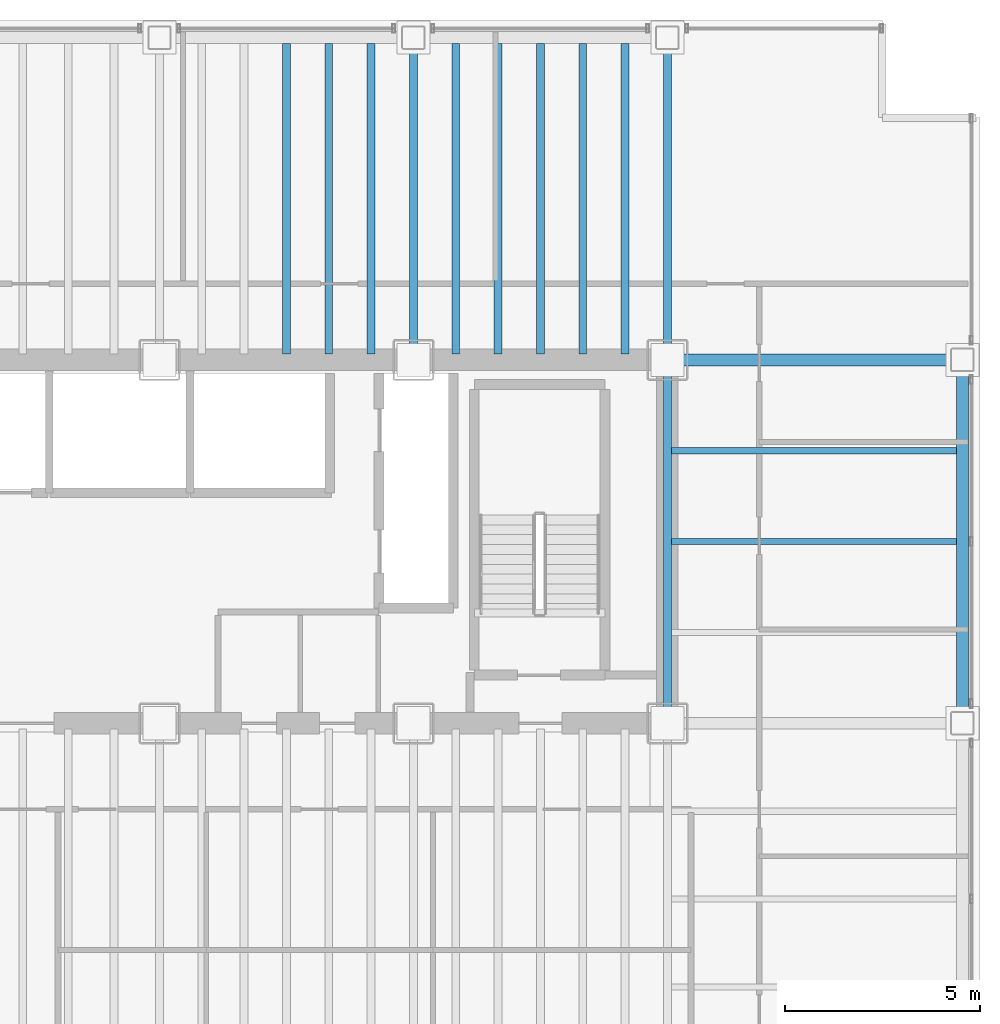
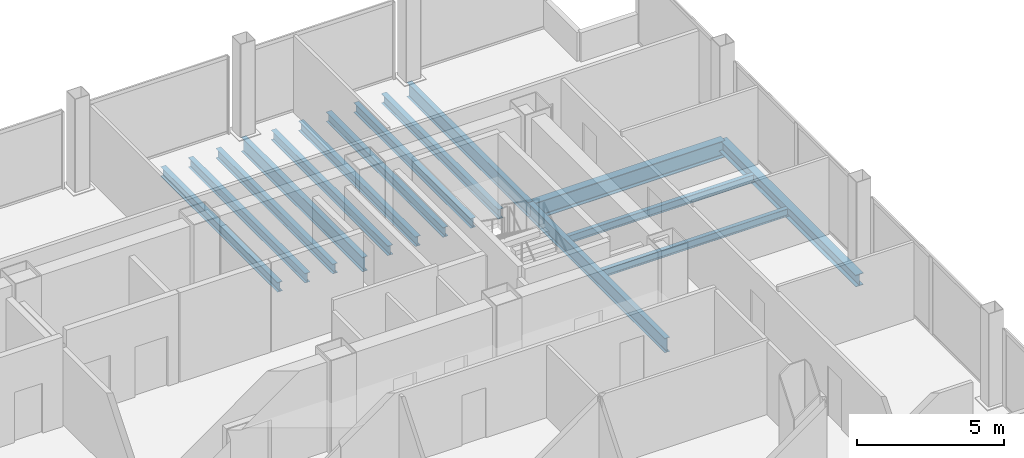
# One storey, part 12 of 21: 15 beams.
"""IFC4 building model written with IfcOpenShell, lengths in metres."""

import ifcopenshell
import ifcopenshell.guid

model = None  # the IFC model being written
_history = None  # IfcOwnerHistory: only IFC2X3 demands one
_inside = {}  # id of a spatial element -> (the spatial element, [elements in it])
_under = {}  # id of a project, library or spatial element -> (it, [spatial elements below it])
_declared = {}  # id of a project -> (the project, [libraries it declares])
_typed = {}  # id of a type object -> (the type object, [elements of that type])
_made_of = {}  # id of a material, layer set ... -> (it, [elements and type objects made of it])


def new_model(schema):
    """Start an empty IFC model of exactly this schema.

    Asked for "IFC4X3", IfcOpenShell would pick the latest addendum, in which some entities
    have other attributes; the version numbers below select the first issue.
    IFC2X3 requires an IfcOwnerHistory on every rooted entity: one is made here for all.
    """
    global model, _history
    if schema == "IFC4X3":
        model = ifcopenshell.file(schema_version=(4, 3, 0, 0))
    else:
        model = ifcopenshell.file(schema=schema)
    _inside.clear()
    _under.clear()
    _declared.clear()
    _typed.clear()
    _made_of.clear()
    _history = None
    if model.schema == "IFC2X3":
        org = make("IfcOrganization", Name="unknown")
        user = make(
            "IfcPersonAndOrganization",
            ThePerson=make("IfcPerson", FamilyName="unknown"),
            TheOrganization=org,
        )
        app = make(
            "IfcApplication",
            ApplicationDeveloper=org,
            Version="unknown",
            ApplicationFullName="unknown",
            ApplicationIdentifier="unknown",
        )
        _history = make(
            "IfcOwnerHistory",
            OwningUser=user,
            OwningApplication=app,
            ChangeAction="ADDED",
            CreationDate=0,
        )
    return model


def make(cls, **values):
    """One entity of the class cls with the attributes given. An attribute that is None is left unset."""
    return model.create_entity(
        cls, **{name: value for name, value in values.items() if value is not None}
    )


def rooted(cls, **values):
    """An entity with a GlobalId (a new one), such as an element, a storey or a relation."""
    return make(cls, GlobalId=ifcopenshell.guid.new(), OwnerHistory=_history, **values)


def si_unit(unit_type, name, prefix=None):
    """IfcSIUnit, for example si_unit("LENGTHUNIT", "METRE", prefix="MILLI")."""
    return make("IfcSIUnit", UnitType=unit_type, Prefix=prefix, Name=name)


def assignment(units):
    """IfcUnitAssignment: the units of a project."""
    return None if units is None else make("IfcUnitAssignment", Units=units)


def point(xyz):
    """IfcCartesianPoint."""
    return None if xyz is None else make("IfcCartesianPoint", Coordinates=xyz)


def direction(xyz):
    """IfcDirection."""
    return None if xyz is None else make("IfcDirection", DirectionRatios=xyz)


def frame(location, z_axis=None, x_axis=None):
    """IfcAxis2Placement3D, a coordinate frame: its origin and axes. An axis left out is left unset."""
    return make(
        "IfcAxis2Placement3D",
        Location=point(location),
        Axis=direction(z_axis),
        RefDirection=direction(x_axis),
    )


def frame_2d(location, x_axis=None):
    """IfcAxis2Placement2D, a coordinate frame in the plane: its origin and x axis."""
    return make(
        "IfcAxis2Placement2D", Location=point(location), RefDirection=direction(x_axis)
    )


def origin():
    """The frame at (0, 0, 0) with its axes left unset."""
    return frame((0.0, 0.0, 0.0))


def origin_2d():
    """The frame at (0, 0) in the plane with its x axis left unset."""
    return frame_2d((0.0, 0.0))


def place(relative_to, where):
    """IfcLocalPlacement: puts the frame where relative to a parent placement (None: the world)."""
    return make(
        "IfcLocalPlacement", PlacementRelTo=relative_to, RelativePlacement=where
    )


def context(
    kind, dimensions, precision=None, world=None, true_north=None, identifier=None
):
    """IfcGeometricRepresentationContext, for example the 3D "Model" context."""
    return make(
        "IfcGeometricRepresentationContext",
        ContextIdentifier=identifier,
        ContextType=kind,
        CoordinateSpaceDimension=dimensions,
        Precision=precision,
        WorldCoordinateSystem=world,
        TrueNorth=true_north,
    )


def subcontext(parent, identifier, kind, view, scale=None):
    """IfcGeometricRepresentationSubContext, for example "Body" below "Model"."""
    return make(
        "IfcGeometricRepresentationSubContext",
        ContextIdentifier=identifier,
        ContextType=kind,
        ParentContext=parent,
        TargetScale=scale,
        TargetView=view,
    )


def project(units=None, contexts=None):
    """IfcProject with its units and contexts."""
    return rooted(
        "IfcProject",
        Name="project",
        RepresentationContexts=contexts,
        UnitsInContext=assignment(units),
    )


def spatial(cls, under=None, at=None, **own):
    """A site, building, storey or space (cls), placed at a placement, below another one or the project."""
    s = rooted(cls, ObjectPlacement=at, **own)
    if under is not None:
        _under.setdefault(under.id(), (under, []))[1].append(s)
    return s


def profile(cls, at=None, kind="AREA", **sizes):
    """A parametric profile (cls). Its sizes go by their IFC names, for example OverallWidth=200.0."""
    return make(cls, ProfileType=kind, Position=at, **sizes)


def i_section(**sizes):
    """IfcIShapeProfileDef."""
    return profile("IfcIShapeProfileDef", **sizes)


def extrude(swept, where, along, depth):
    """IfcExtrudedAreaSolid: the profile swept, set in the frame where, extruded along a direction by depth."""
    return make(
        "IfcExtrudedAreaSolid",
        SweptArea=swept,
        Position=where,
        ExtrudedDirection=direction(along),
        Depth=depth,
    )


def shape(context_of_items, identifier, shape_type, items):
    """IfcShapeRepresentation: the items that make up one representation, for example the "Body"."""
    return make(
        "IfcShapeRepresentation",
        ContextOfItems=context_of_items,
        RepresentationIdentifier=identifier,
        RepresentationType=shape_type,
        Items=items,
    )


def material(Name=None, Category=None):
    """IfcMaterial."""
    return make("IfcMaterial", Name=Name, Category=Category)


def material_profile(
    of_material, cross_section, Name=None, Category=None, Priority=None
):
    """IfcMaterialProfile: a cross section and its material."""
    return make(
        "IfcMaterialProfile",
        Name=Name,
        Material=of_material,
        Profile=cross_section,
        Priority=Priority,
        Category=Category,
    )


def profile_set(profiles, Name=None, composite=None):
    """IfcMaterialProfileSet."""
    return make(
        "IfcMaterialProfileSet",
        Name=Name,
        MaterialProfiles=profiles,
        CompositeProfile=composite,
    )


def made_of(thing, what):
    """Note that an element or type object is made of a material, layer set ...; save() writes the relation."""
    if what is not None:
        _made_of.setdefault(what.id(), (what, []))[1].append(thing)
    return thing


def type_object(cls, material=None, **own):
    """A type object (cls), such as IfcWallType, which elements share."""
    return made_of(rooted(cls, **own), material)


def element(
    cls,
    number,
    at=None,
    inside=None,
    cuts=None,
    type_object=None,
    material=None,
    context=None,
    identifier="Body",
    shape_type=None,
    held_by="IfcProductDefinitionShape",
    body=None,
    shapes=None,
    **own,
):
    """One element of the class cls, such as IfcWall. Its Tag is "e" and its number.

    at: its placement. inside: the storey or other place that contains it. cuts: it is an
    opening in that element (IfcRelVoidsElement). A single representation is given by context,
    identifier, shape_type and body (its items); several are given by shapes. held_by: the class
    of the entity that holds the representations. save() writes the other relations.
    """
    e = rooted(cls, Tag="e%d" % number, ObjectPlacement=at, **own)
    if body is not None:
        shapes = [shape(context, identifier, shape_type, body)]
    if shapes is not None:
        e.Representation = make(held_by, Representations=shapes)
    if inside is not None:
        _inside.setdefault(inside.id(), (inside, []))[1].append(e)
    if cuts is not None:
        rooted(
            "IfcRelVoidsElement", RelatingBuildingElement=cuts, RelatedOpeningElement=e
        )
    if type_object is not None:
        _typed.setdefault(type_object.id(), (type_object, []))[1].append(e)
    return made_of(e, material)


def aggregate(whole, parts):
    """IfcRelAggregates: a whole, such as a stair, and the parts it consists of."""
    return rooted("IfcRelAggregates", RelatingObject=whole, RelatedObjects=parts)


def save(model, path):
    """Write the relations noted so far, then the file.

    IfcRelAggregates (storeys below a building ...), IfcRelContainedInSpatialStructure (elements
    in a storey), IfcRelDefinesByType, IfcRelAssociatesMaterial and IfcRelDeclares: one each for
    every whole, place, type object, material and project.
    """
    for whole, parts in _under.values():
        aggregate(whole, parts)
    for where, things in _inside.values():
        rooted(
            "IfcRelContainedInSpatialStructure",
            RelatedElements=things,
            RelatingStructure=where,
        )
    for kind, things in _typed.values():
        rooted("IfcRelDefinesByType", RelatedObjects=things, RelatingType=kind)
    for what, things in _made_of.values():
        rooted("IfcRelAssociatesMaterial", RelatedObjects=things, RelatingMaterial=what)
    for by, libraries in _declared.values():
        rooted("IfcRelDeclares", RelatingContext=by, RelatedDefinitions=libraries)
    model.write(path)


model = new_model("IFC4")

# Units and contexts
model_context = context("Model", 3, precision=1e-05, world=origin(), true_north=direction((0.0, 1.0)))
body_context = subcontext(model_context, "Body", "Model", "MODEL_VIEW")
ifc_project = project(units=[si_unit("LENGTHUNIT", "METRE"), si_unit("AREAUNIT", "SQUARE_METRE"), si_unit("VOLUMEUNIT", "CUBIC_METRE"), si_unit("PLANEANGLEUNIT", "RADIAN"), si_unit("MASSUNIT", "GRAM", prefix="KILO")], contexts=[model_context])

# Site, building, storey
site_placement = place(None, origin())
site = spatial("IfcSite", under=ifc_project, at=site_placement, CompositionType="ELEMENT")
building_placement = place(site_placement, origin())
building = spatial("IfcBuilding", under=site, at=building_placement, Name="Noeulbin Bourse Tower", CompositionType="ELEMENT")
storey_placement = place(building_placement, frame((0.0, 0.0, 46.0)))
storey = spatial("IfcBuildingStorey", under=building, at=storey_placement, Name="L11", CompositionType="ELEMENT", Elevation=46.0)

# Beams
ifc_material = material(Name="Steel S355", Category="steel")
ifc_material_profile_1 = material_profile(ifc_material, i_section(OverallWidth=0.199951171875, OverallDepth=0.60009765625, WebThickness=0.010986328125, FlangeThickness=0.01708984375, FilletRadius=0.02197265625, at=origin_2d()), Name="H-600x200x11x17", Category="LoadBearing")
ifc_profile_set_1 = profile_set([ifc_material_profile_1], Name="Steel S355")
beam_type_1 = type_object("IfcBeamType", Name="BM-GRD-600", PredefinedType="USERDEFINED", material=ifc_profile_set_1)
beam_1_placement = place(storey_placement, frame((37.5, 38.300048828125, -0.47998046875), z_axis=(0.0, 1.0, 0.0), x_axis=(-1.0, 0.0, 0.0)))
element("IfcBeam", 1, at=beam_1_placement, inside=storey, type_object=beam_type_1, Name="Tower Primary Girder NS L11-4.4", ObjectType="GIRDER", PredefinedType="USERDEFINED", context=body_context, shape_type="SweptSolid", body=[
    extrude(i_section(OverallWidth=0.199951171875, OverallDepth=0.60009765625, WebThickness=0.010986328125, FlangeThickness=0.01708984375, FilletRadius=0.02197265625, at=origin_2d()), origin(), (0.0, 0.0, 1.0), 8.25),
])
beam_2_placement = place(storey_placement, frame((44.0, 29.0, -0.47998046875), z_axis=(0.0, 1.0, 0.0), x_axis=(-1.0, 0.0, 0.0)))
element("IfcBeam", 2, at=beam_2_placement, inside=storey, type_object=beam_type_1, Name="Tower Primary Girder NS L11-5.3", ObjectType="GIRDER", PredefinedType="USERDEFINED", context=body_context, shape_type="SweptSolid", body=[
    extrude(i_section(OverallWidth=0.199951171875, OverallDepth=0.60009765625, WebThickness=0.010986328125, FlangeThickness=0.01708984375, FilletRadius=0.02197265625, at=origin_2d()), origin(), (0.0, 0.0, 1.0), 9.300048828125),
])
beam_3_placement = place(storey_placement, frame((44.0, 38.300048828125, -0.47998046875), z_axis=(0.0, 1.0, 0.0), x_axis=(-1.0, 0.0, 0.0)))
element("IfcBeam", 3, at=beam_3_placement, inside=storey, type_object=beam_type_1, Name="Tower Primary Girder NS L11-5.4", ObjectType="GIRDER", PredefinedType="USERDEFINED", context=body_context, shape_type="SweptSolid", body=[
    extrude(i_section(OverallWidth=0.199951171875, OverallDepth=0.60009765625, WebThickness=0.010986328125, FlangeThickness=0.01708984375, FilletRadius=0.02197265625, at=origin_2d()), origin(), (0.0, 0.0, 1.0), 8.25),
])
ifc_material_profile_2 = material_profile(ifc_material, i_section(OverallWidth=0.300048828125, OverallDepth=0.699951171875, WebThickness=0.012939453125, FlangeThickness=0.02392578125, FilletRadius=0.02392578125, at=origin_2d()), Name="H-700x300x13x24", Category="LoadBearing")
ifc_profile_set_2 = profile_set([ifc_material_profile_2], Name="Steel S355")
beam_type_2 = type_object("IfcBeamType", Name="BM-GRD-700", PredefinedType="USERDEFINED", material=ifc_profile_set_2)
beam_4_placement = place(storey_placement, frame((44.0, 38.300048828125, -0.530029296875), z_axis=(1.0, 0.0, 0.0), x_axis=(0.0, 1.0, 0.0)))
element("IfcBeam", 4, at=beam_4_placement, inside=storey, type_object=beam_type_2, Name="Tower Primary Girder EW L11-3.6", ObjectType="GIRDER", PredefinedType="USERDEFINED", context=body_context, shape_type="SweptSolid", body=[
    extrude(i_section(OverallWidth=0.300048828125, OverallDepth=0.699951171875, WebThickness=0.012939453125, FlangeThickness=0.02392578125, FilletRadius=0.02392578125, at=origin_2d()), origin(), (0.0, 0.0, 1.0), 7.550048828125),
])
ifc_material_profile_3 = material_profile(ifc_material, i_section(OverallWidth=0.159912109375, OverallDepth=0.320068359375, WebThickness=0.006591796875, FlangeThickness=0.010009765625, FilletRadius=0.012939453125, at=origin_2d()), Name="H-320x160x6.5x10", Category="LoadBearing")
ifc_profile_set_3 = profile_set([ifc_material_profile_3], Name="Steel S355")
beam_type_3 = type_object("IfcBeamType", Name="BM-JST-320", PredefinedType="JOIST", material=ifc_profile_set_3)
for number, where, z_axis, x_axis, name in (
    (5, (44.10009765625, 33.64990234375, -0.340087890625), (1.0, 0.0, 0.0), (0.0, 1.0, 0.0), "Wing Composite Joist L11-E80"),
    (6, (44.10009765625, 35.97509765625, -0.340087890625), (1.0, 0.0, 0.0), (0.0, 1.0, 0.0), "Wing Composite Joist L11-E81"),
):
    element("IfcBeam", number, at=place(storey_placement, frame(where, z_axis=z_axis, x_axis=x_axis)), inside=storey, type_object=beam_type_3, Name=name, PredefinedType="JOIST", context=body_context, shape_type="SweptSolid", body=[
        extrude(i_section(OverallWidth=0.159912109375, OverallDepth=0.320068359375, WebThickness=0.006591796875, FlangeThickness=0.010009765625, FilletRadius=0.012939453125, at=origin_2d()), origin(), (0.0, 0.0, 1.0), 7.2998046875),
    ])
ifc_material_profile_4 = material_profile(ifc_material, i_section(OverallWidth=0.199951171875, OverallDepth=0.39990234375, WebThickness=0.008056640625, FlangeThickness=0.012939453125, FilletRadius=0.01611328125, at=origin_2d()), Name="H-400x200x8x13", Category="LoadBearing")
ifc_profile_set_4 = profile_set([ifc_material_profile_4], Name="Steel S355")
beam_type_4 = type_object("IfcBeamType", Name="BM-SEC-400", PredefinedType="BEAM", material=ifc_profile_set_4)
for number, where, z_axis, x_axis, name in (
    (7, (34.25, 38.449951171875, -0.3798828125), (0.0, 1.0, 0.0), (-1.0, 0.0, 0.0), "Tower Composite Joist L11-48"),
    (8, (35.333251953125, 38.449951171875, -0.3798828125), (0.0, 1.0, 0.0), (-1.0, 0.0, 0.0), "Tower Composite Joist L11-51"),
    (9, (36.416748046875, 38.449951171875, -0.3798828125), (0.0, 1.0, 0.0), (-1.0, 0.0, 0.0), "Tower Composite Joist L11-54"),
    (10, (38.583251953125, 38.449951171875, -0.3798828125), (0.0, 1.0, 0.0), (-1.0, 0.0, 0.0), "Tower Composite Joist L11-57"),
    (11, (39.666748046875, 38.449951171875, -0.3798828125), (0.0, 1.0, 0.0), (-1.0, 0.0, 0.0), "Tower Composite Joist L11-60"),
    (12, (40.75, 38.449951171875, -0.3798828125), (0.0, 1.0, 0.0), (-1.0, 0.0, 0.0), "Tower Composite Joist L11-63"),
    (13, (41.833251953125, 38.449951171875, -0.3798828125), (0.0, 1.0, 0.0), (-1.0, 0.0, 0.0), "Tower Composite Joist L11-66"),
    (14, (42.916748046875, 38.449951171875, -0.3798828125), (0.0, 1.0, 0.0), (-1.0, 0.0, 0.0), "Tower Composite Joist L11-69"),
):
    element("IfcBeam", number, at=place(storey_placement, frame(where, z_axis=z_axis, x_axis=x_axis)), inside=storey, type_object=beam_type_4, Name=name, PredefinedType="BEAM", context=body_context, shape_type="SweptSolid", body=[
        extrude(i_section(OverallWidth=0.199951171875, OverallDepth=0.39990234375, WebThickness=0.008056640625, FlangeThickness=0.012939453125, FilletRadius=0.01611328125, at=origin_2d()), origin(), (0.0, 0.0, 1.0), 7.949951171875),
    ])
ifc_material_profile_5 = material_profile(ifc_material, i_section(OverallWidth=0.300048828125, OverallDepth=0.488037109375, WebThickness=0.010986328125, FlangeThickness=0.01806640625, FilletRadius=0.02197265625, at=origin_2d()), Name="H-488x300x11x18", Category="LoadBearing")
ifc_profile_set_5 = profile_set([ifc_material_profile_5], Name="Steel S355")
beam_type_5 = type_object("IfcBeamType", Name="BM-SPN-488", PredefinedType="SPANDREL", material=ifc_profile_set_5)
beam_5_placement = place(storey_placement, frame((51.550048828125, 29.0, -0.424072265625), z_axis=(0.0, 1.0, 0.0), x_axis=(-1.0, 0.0, 0.0)))
element("IfcBeam", 15, at=beam_5_placement, inside=storey, type_object=beam_type_5, Name="East Spandrel L11-2", PredefinedType="SPANDREL", context=body_context, shape_type="SweptSolid", body=[
    extrude(i_section(OverallWidth=0.300048828125, OverallDepth=0.488037109375, WebThickness=0.010986328125, FlangeThickness=0.01806640625, FilletRadius=0.02197265625, at=origin_2d()), origin(), (0.0, 0.0, 1.0), 9.300048828125),
])

save(model, "model.ifc")
